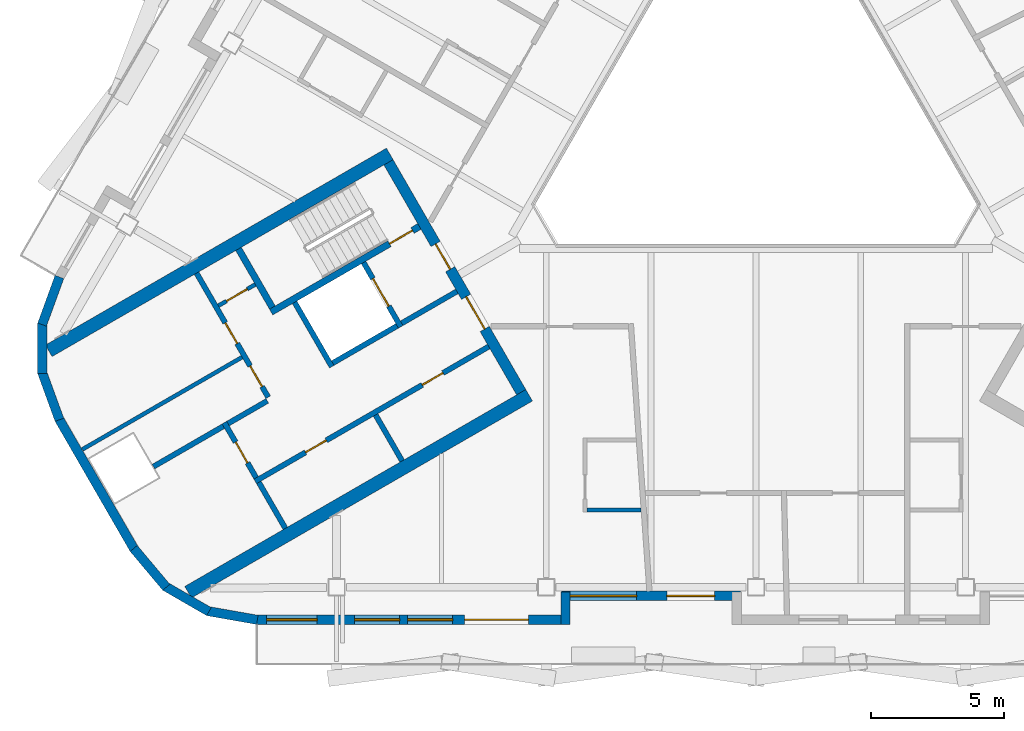
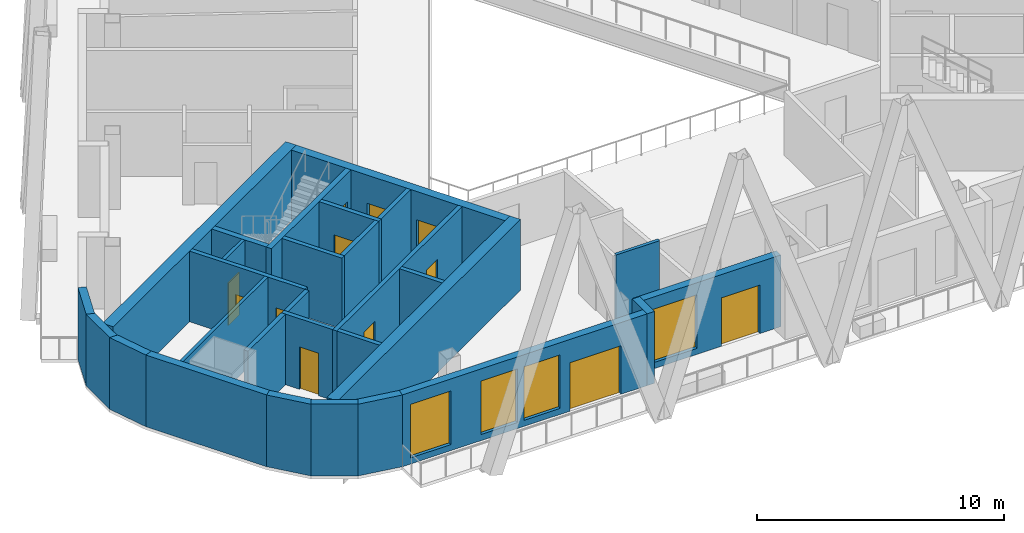
# One storey, part 5 of 18: 29 walls, 12 doors, 4 windows, 16 openings.
"""IFC4 building model written with IfcOpenShell, lengths in metres."""

from ifc_helpers import new_model, si_unit, direction, frame, frame_2d, origin, place, context, subcontext, project, spatial, rectangle, extrude, material, layer, layer_set, type_object, element, fill, save


model = new_model("IFC4")

# Units and contexts
model_context = context("Model", 3, precision=1e-05, world=origin(), true_north=direction((0.0, 1.0)))
body_context = subcontext(model_context, "Body", "Model", "MODEL_VIEW")
ifc_project = project(units=[si_unit("LENGTHUNIT", "METRE"), si_unit("AREAUNIT", "SQUARE_METRE"), si_unit("VOLUMEUNIT", "CUBIC_METRE"), si_unit("PLANEANGLEUNIT", "RADIAN"), si_unit("MASSUNIT", "GRAM", prefix="KILO")], contexts=[model_context])

# Site, building, storey
site_placement = place(None, origin())
site = spatial("IfcSite", under=ifc_project, at=site_placement, CompositionType="ELEMENT")
building_placement = place(site_placement, origin())
building = spatial("IfcBuilding", under=site, at=building_placement, Name="Apuvela Tower Hotel", CompositionType="ELEMENT")
storey_placement = place(building_placement, frame((0.0, 0.0, 246.699951171875)))
storey = spatial("IfcBuildingStorey", under=building, at=storey_placement, Name="L60", CompositionType="ELEMENT", Elevation=246.699951171875)

# Wall, openings, doors
ifc_material_1 = material(Name="Concrete C50/60", Category="concrete")
ifc_layer_1 = layer(ifc_material_1, 0.39990234375)
ifc_layer_set_1 = layer_set([ifc_layer_1], Name="COR-WALL-CORE-400")
wall_type_1 = type_object("IfcWallType", Name="COR-WALL-CORE-400", PredefinedType="SHEAR", material=ifc_layer_set_1)
wall_1_placement = place(storey_placement, frame((-13.844970703125, -2.219970703125, 0.0), z_axis=(0.0, 0.0, 1.0), x_axis=(0.500004234368, -0.866022959057, 0.0)))
wall_1 = element("IfcWall", 1, at=wall_1_placement, inside=storey, type_object=wall_type_1, Name="Core wall SW", PredefinedType="SHEAR", context=body_context, shape_type="SweptSolid", body=[
    extrude(rectangle(XDim=10.0, YDim=0.39990234375, at=frame_2d((5.0, 0.0))), origin(), (0.0, 0.0, 1.0), 3.5),
])
opening_1_placement = place(wall_1_placement, frame((3.550048828125, 0.0, 0.0)))
opening_1 = element("IfcOpeningElement", 2, at=opening_1_placement, cuts=wall_1, Name="Opening W-FD", PredefinedType="OPENING", context=body_context, shape_type="SweptSolid", body=[
    extrude(rectangle(XDim=1.10009765625, YDim=2.10009765625, at=frame_2d((0.550048828125, 1.050048828125))), frame((0.0, 0.2099609375, 0.0), z_axis=(0.0, -1.0, 0.0), x_axis=(1.0, 0.0, 0.0)), (0.0, 0.0, 1.0), 0.419921875),
])
opening_2_placement = place(wall_1_placement, frame((5.85009765625, 0.0, 0.0)))
opening_2 = element("IfcOpeningElement", 3, at=opening_2_placement, cuts=wall_1, Name="Opening W-GD", PredefinedType="OPENING", context=body_context, shape_type="SweptSolid", body=[
    extrude(rectangle(XDim=1.39990234375, YDim=2.10009765625, at=frame_2d((0.699951171875, 1.050048828125))), frame((0.0, 0.2099609375, 0.0), z_axis=(0.0, -1.0, 0.0), x_axis=(1.0, 0.0, 0.0)), (0.0, 0.0, 1.0), 0.419921875),
])
ifc_material_2 = material(Name="Steel fire door, powder coated", Category="steel")
door_type_1 = type_object("IfcDoorType", Name="COR-FD-1100", OperationType="NOTDEFINED", PredefinedType="DOOR", material=ifc_material_2)
door_1_placement = place(opening_1_placement, frame((1.10009765625, 0.0, 0.0), z_axis=(0.0, 0.0, 1.0), x_axis=(-1.0, 0.0, 0.0)))
door_1 = element("IfcDoor", 4, at=door_1_placement, inside=storey, type_object=door_type_1, Name="Firefighting lobby door W-FD", OperationType="SINGLE_SWING_LEFT", OverallHeight=2.10009765625, OverallWidth=1.10009765625, PredefinedType="DOOR", context=body_context, shape_type="SweptSolid", body=[
    extrude(rectangle(XDim=1.10009765625, YDim=2.10009765625, at=frame_2d((0.550048828125, 1.050048828125))), frame((0.0, 0.02490234375, 0.0), z_axis=(0.0, -1.0, 0.0), x_axis=(1.0, 0.0, 0.0)), (0.0, 0.0, 1.0), 0.050048828125),
])
fill(opening_1, door_1)
ifc_material_3 = material(Name="Glazed steel fire door", Category="steel")
door_type_2 = type_object("IfcDoorType", Name="COR-GD-1400", OperationType="DOUBLE_DOOR_SINGLE_SWING", PredefinedType="DOOR", material=ifc_material_3)
door_2_placement = place(opening_2_placement, frame((1.39990234375, 0.0, 0.0), z_axis=(0.0, 0.0, 1.0), x_axis=(-1.0, 0.0, 0.0)))
door_2 = element("IfcDoor", 5, at=door_2_placement, inside=storey, type_object=door_type_2, Name="Lift lobby door W-GD", OperationType="DOUBLE_DOOR_SINGLE_SWING", OverallHeight=2.10009765625, OverallWidth=1.39990234375, PredefinedType="DOOR", context=body_context, shape_type="SweptSolid", body=[
    extrude(rectangle(XDim=1.39990234375, YDim=2.10009765625, at=frame_2d((0.699951171875, 1.050048828125))), frame((0.0, 0.02490234375, 0.0), z_axis=(0.0, -1.0, 0.0), x_axis=(1.0, 0.0, 0.0)), (0.0, 0.0, 1.0), 0.050048828125),
])
fill(opening_2, door_2)

# Walls
ifc_layer_2 = layer(ifc_material_1, 0.5)
ifc_layer_set_2 = layer_set([ifc_layer_2], Name="COR-WALL-CORE-500")
wall_type_2 = type_object("IfcWallType", Name="COR-WALL-CORE-500", PredefinedType="SHEAR", material=ifc_layer_set_2)
for number, where, z_axis, x_axis, name in (
    (6, (-13.796630859375, -1.9033203125, 0.0), (0.0, 0.0, 1.0), (-0.866025009528, -0.500000682871, 0.0), "Core wall SW"),
    (7, (-8.546630859375, -10.99658203125, 0.0), (0.0, 0.0, 1.0), (-0.866025009528, -0.500000682871, 0.0), "Core wall SW"),
):
    element("IfcWall", number, at=place(storey_placement, frame(where, z_axis=z_axis, x_axis=x_axis)), inside=storey, type_object=wall_type_2, Name=name, PredefinedType="SHEAR", context=body_context, shape_type="SweptSolid", body=[
        extrude(rectangle(XDim=14.8369140625, YDim=0.5, at=frame_2d((7.41845703125, 0.0))), origin(), (0.0, 0.0, 1.0), 3.5),
    ])

# Wall, opening, door
ifc_material_4 = material(Name="Blockwork 150 mm plastered", Category="masonry")
ifc_layer_3 = layer(ifc_material_4, 0.14990234375)
ifc_layer_set_3 = layer_set([ifc_layer_3], Name="COR-WALL-PART-150")
wall_type_3 = type_object("IfcWallType", Name="COR-WALL-PART-150", PredefinedType="PARTITIONING", material=ifc_layer_set_3)
wall_2_placement = place(storey_placement, frame((-18.866455078125, -6.822265625, 0.0), z_axis=(0.0, 0.0, 1.0), x_axis=(-0.866028054938, -0.499995408039, 0.0)))
wall_2 = element("IfcWall", 8, at=wall_2_placement, inside=storey, type_object=wall_type_3, Name="Partition SW", PredefinedType="PARTITIONING", context=body_context, shape_type="SweptSolid", body=[
    extrude(rectangle(XDim=1.60009765625, YDim=0.14990234375, at=frame_2d((0.800048828125, 0.0))), origin(), (0.0, 0.0, 1.0), 3.5),
])
opening_3_placement = place(wall_2_placement, frame((0.35009765625, 0.0, 0.0)))
opening_3 = element("IfcOpeningElement", 9, at=opening_3_placement, cuts=wall_2, Name="Opening W-RD", PredefinedType="OPENING", context=body_context, shape_type="SweptSolid", body=[
    extrude(rectangle(XDim=0.89990234375, YDim=2.10009765625, at=frame_2d((0.449951171875, 1.050048828125))), frame((0.0, 0.0849609375, 0.0), z_axis=(0.0, -1.0, 0.0), x_axis=(1.0, 0.0, 0.0)), (0.0, 0.0, 1.0), 0.169921875),
])
ifc_material_5 = material(Name="Steel access door, powder coated", Category="steel")
door_type_3 = type_object("IfcDoorType", Name="COR-RD-900", OperationType="NOTDEFINED", PredefinedType="DOOR", material=ifc_material_5)
door_3_placement = place(opening_3_placement, frame((0.89990234375, 0.0, 0.0), z_axis=(0.0, 0.0, 1.0), x_axis=(-1.0, 0.0, 0.0)))
door_3 = element("IfcDoor", 10, at=door_3_placement, inside=storey, type_object=door_type_3, Name="Riser door W-RD", OperationType="SINGLE_SWING_RIGHT", OverallHeight=2.10009765625, OverallWidth=0.89990234375, PredefinedType="DOOR", context=body_context, shape_type="SweptSolid", body=[
    extrude(rectangle(XDim=0.89990234375, YDim=2.10009765625, at=frame_2d((0.449951171875, 1.050048828125))), frame((0.0, 0.02490234375, 0.0), z_axis=(0.0, -1.0, 0.0), x_axis=(1.0, 0.0, 0.0)), (0.0, 0.0, 1.0), 0.050048828125),
])
fill(opening_3, door_3)

# Wall
wall_3_placement = place(storey_placement, frame((-19.36279296875, -9.5625, 0.0), z_axis=(0.0, 0.0, 1.0), x_axis=(-0.866016523273, -0.500015381182, 0.0)))
element("IfcWall", 11, at=wall_3_placement, inside=storey, type_object=wall_type_3, Name="Partition SW", PredefinedType="PARTITIONING", context=body_context, shape_type="SweptSolid", body=[
    extrude(rectangle(XDim=6.949951171875, YDim=0.14990234375, at=frame_2d((3.47509765625, 0.0))), origin(), (0.0, 0.0, 1.0), 3.5),
])

# Wall, openings, doors
ifc_material_6 = material(Name="Blockwork 200 mm plastered", Category="masonry")
ifc_layer_4 = layer(ifc_material_6, 0.199951171875)
ifc_layer_set_4 = layer_set([ifc_layer_4], Name="COR-WALL-PART-200")
wall_type_4 = type_object("IfcWallType", Name="COR-WALL-PART-200", PredefinedType="PARTITIONING", material=ifc_layer_set_4)
wall_4_placement = place(storey_placement, frame((-21.076171875, -6.39501953125, 0.0), z_axis=(0.0, 0.0, 1.0), x_axis=(0.50001468107, -0.866016927499, 0.0)))
wall_4 = element("IfcWall", 12, at=wall_4_placement, inside=storey, type_object=wall_type_4, Name="Partition SW", PredefinedType="PARTITIONING", context=body_context, shape_type="SweptSolid", body=[
    extrude(rectangle(XDim=5.399658203125, YDim=0.199951171875, at=frame_2d((2.69970703125, 0.0))), origin(), (0.0, 0.0, 1.0), 3.5),
])
opening_4_placement = place(wall_4_placement, frame((2.16259765625, 0.0, 0.0)))
opening_4 = element("IfcOpeningElement", 13, at=opening_4_placement, cuts=wall_4, Name="Opening W-RS1", PredefinedType="OPENING", context=body_context, shape_type="SweptSolid", body=[
    extrude(rectangle(XDim=0.89990234375, YDim=2.10009765625, at=frame_2d((0.449951171875, 1.050048828125))), frame((0.0, 0.10986328125, 0.0), z_axis=(0.0, -1.0, 0.0), x_axis=(1.0, 0.0, 0.0)), (0.0, 0.0, 1.0), 0.219970703125),
])
opening_5_placement = place(wall_4_placement, frame((4.03759765625, 0.0, 0.0)))
opening_5 = element("IfcOpeningElement", 14, at=opening_5_placement, cuts=wall_4, Name="Opening W-RS2", PredefinedType="OPENING", context=body_context, shape_type="SweptSolid", body=[
    extrude(rectangle(XDim=0.89990234375, YDim=2.10009765625, at=frame_2d((0.449951171875, 1.050048828125))), frame((0.0, 0.10986328125, 0.0), z_axis=(0.0, -1.0, 0.0), x_axis=(1.0, 0.0, 0.0)), (0.0, 0.0, 1.0), 0.219970703125),
])
door_type_4 = type_object("IfcDoorType", Name="COR-DR-900", OperationType="NOTDEFINED", PredefinedType="DOOR", material=ifc_material_2)
door_4_placement = place(opening_4_placement, frame((0.89990234375, 0.0, 0.0), z_axis=(0.0, 0.0, 1.0), x_axis=(-1.0, 0.0, 0.0)))
door_4 = element("IfcDoor", 15, at=door_4_placement, inside=storey, type_object=door_type_4, Name="Store door W-RS1", OperationType="SINGLE_SWING_LEFT", OverallHeight=2.10009765625, OverallWidth=0.89990234375, PredefinedType="DOOR", context=body_context, shape_type="SweptSolid", body=[
    extrude(rectangle(XDim=0.89990234375, YDim=2.10009765625, at=frame_2d((0.449951171875, 1.050048828125))), frame((0.0, 0.02490234375, 0.0), z_axis=(0.0, -1.0, 0.0), x_axis=(1.0, 0.0, 0.0)), (0.0, 0.0, 1.0), 0.050048828125),
])
fill(opening_4, door_4)
door_5_placement = place(opening_5_placement, frame((0.89990234375, 0.0, 0.0), z_axis=(0.0, 0.0, 1.0), x_axis=(-1.0, 0.0, 0.0)))
door_5 = element("IfcDoor", 16, at=door_5_placement, inside=storey, type_object=door_type_4, Name="Store door W-RS2", OperationType="SINGLE_SWING_LEFT", OverallHeight=2.10009765625, OverallWidth=0.89990234375, PredefinedType="DOOR", context=body_context, shape_type="SweptSolid", body=[
    extrude(rectangle(XDim=0.89990234375, YDim=2.10009765625, at=frame_2d((0.449951171875, 1.050048828125))), frame((0.0, 0.02490234375, 0.0), z_axis=(0.0, -1.0, 0.0), x_axis=(1.0, 0.0, 0.0)), (0.0, 0.0, 1.0), 0.050048828125),
])
fill(opening_5, door_5)

# Wall
ifc_layer_5 = layer(ifc_material_1, 0.199951171875)
ifc_layer_set_5 = layer_set([ifc_layer_5], Name="COR-WALL-SHAFT-200")
wall_type_5 = type_object("IfcWallType", Name="COR-WALL-SHAFT-200", PredefinedType="SHEAR", material=ifc_layer_set_5)
wall_5_placement = place(storey_placement, frame((-17.38134765625, -7.49462890625, 0.0), z_axis=(0.0, 0.0, 1.0), x_axis=(0.500011755427, -0.866018616679, 0.0)))
element("IfcWall", 17, at=wall_5_placement, inside=storey, type_object=wall_type_5, Name="Shaft wall SW", PredefinedType="SHEAR", context=body_context, shape_type="SweptSolid", body=[
    extrude(rectangle(XDim=2.80029296875, YDim=0.199951171875, at=frame_2d((1.400146484375, 0.0))), origin(), (0.0, 0.0, 1.0), 3.5),
])

# Wall, opening, door
wall_6_placement = place(storey_placement, frame((-14.783203125, -5.99462890625, 0.0), z_axis=(0.0, 0.0, 1.0), x_axis=(0.49994636267, -0.866056369097, 0.0)))
wall_6 = element("IfcWall", 18, at=wall_6_placement, inside=storey, type_object=wall_type_5, Name="Shaft wall SW", PredefinedType="SHEAR", context=body_context, shape_type="SweptSolid", body=[
    extrude(rectangle(XDim=2.800048828125, YDim=0.199951171875, at=frame_2d((1.39990234375, 0.0))), origin(), (0.0, 0.0, 1.0), 3.5),
])
opening_6_placement = place(wall_6_placement, frame((0.699951171875, 0.0, 0.0)))
opening_6 = element("IfcOpeningElement", 19, at=opening_6_placement, cuts=wall_6, Name="Opening W-LD-FS2", PredefinedType="OPENING", context=body_context, shape_type="SweptSolid", body=[
    extrude(rectangle(XDim=1.199951171875, YDim=2.10009765625, at=frame_2d((0.60009765625, 1.050048828125))), frame((0.0, 0.10986328125, 0.0), z_axis=(0.0, -1.0, 0.0), x_axis=(1.0, 0.0, 0.0)), (0.0, 0.0, 1.0), 0.219970703125),
])
ifc_material_7 = material(Name="Stainless steel lift landing door", Category="steel")
door_type_5 = type_object("IfcDoorType", Name="COR-LD-1200", OperationType="DOUBLE_DOOR_SLIDING", PredefinedType="DOOR", material=ifc_material_7)
door_6_placement = place(opening_6_placement, origin())
door_6 = element("IfcDoor", 20, at=door_6_placement, inside=storey, type_object=door_type_5, Name="Lift landing door W-LD-FS2", OperationType="DOUBLE_DOOR_SLIDING", OverallHeight=2.10009765625, OverallWidth=1.199951171875, PredefinedType="DOOR", context=body_context, shape_type="SweptSolid", body=[
    extrude(rectangle(XDim=1.199951171875, YDim=2.10009765625, at=frame_2d((0.60009765625, 1.050048828125))), frame((0.0, 0.02490234375, 0.0), z_axis=(0.0, -1.0, 0.0), x_axis=(1.0, 0.0, 0.0)), (0.0, 0.0, 1.0), 0.050048828125),
])
fill(opening_6, door_6)

# Walls
wall_7_placement = place(storey_placement, frame((-13.519775390625, -8.383056640625, 0.0), z_axis=(0.0, 0.0, 1.0), x_axis=(-0.866034573852, -0.49998411664, 0.0)))
element("IfcWall", 21, at=wall_7_placement, inside=storey, type_object=wall_type_5, Name="Shaft wall SW", PredefinedType="SHEAR", context=body_context, shape_type="SweptSolid", body=[
    extrude(rectangle(XDim=2.7998046875, YDim=0.199951171875, at=frame_2d((1.39990234375, 0.0))), origin(), (0.0, 0.0, 1.0), 3.5),
])
wall_8_placement = place(storey_placement, frame((-11.26806640625, -7.0830078125, 0.0), z_axis=(0.0, 0.0, 1.0), x_axis=(-0.866050077142, -0.499957262057, 0.0)))
element("IfcWall", 22, at=wall_8_placement, inside=storey, type_object=wall_type_5, Name="Shaft wall SW", PredefinedType="SHEAR", context=body_context, shape_type="SweptSolid", body=[
    extrude(rectangle(XDim=2.400146484375, YDim=0.199951171875, at=frame_2d((1.2001953125, 0.0))), origin(), (0.0, 0.0, 1.0), 3.5),
])

# Wall, openings, doors
wall_9_placement = place(storey_placement, frame((-10.068115234375, -9.16162109375, 0.0), z_axis=(0.0, 0.0, 1.0), x_axis=(-0.866032725843, -0.499987317609, 0.0)))
wall_9 = element("IfcWall", 23, at=wall_9_placement, inside=storey, type_object=wall_type_5, Name="Shaft wall SW", PredefinedType="SHEAR", context=body_context, shape_type="SweptSolid", body=[
    extrude(rectangle(XDim=10.159912109375, YDim=0.199951171875, at=frame_2d((5.080078125, 0.0))), origin(), (0.0, 0.0, 1.0), 3.5),
])
opening_7_placement = place(wall_9_placement, frame((1.989990234375, 0.0, 0.0)))
opening_7 = element("IfcOpeningElement", 24, at=opening_7_placement, cuts=wall_9, Name="Opening W-RE1", PredefinedType="OPENING", context=body_context, shape_type="SweptSolid", body=[
    extrude(rectangle(XDim=0.89990234375, YDim=2.10009765625, at=frame_2d((0.449951171875, 1.050048828125))), frame((0.0, 0.10986328125, 0.0), z_axis=(0.0, -1.0, 0.0), x_axis=(1.0, 0.0, 0.0)), (0.0, 0.0, 1.0), 0.219970703125),
])
opening_8_placement = place(wall_9_placement, frame((7.070068359375, 0.0, 0.0)))
opening_8 = element("IfcOpeningElement", 25, at=opening_8_placement, cuts=wall_9, Name="Opening W-RE3", PredefinedType="OPENING", context=body_context, shape_type="SweptSolid", body=[
    extrude(rectangle(XDim=0.89990234375, YDim=2.10009765625, at=frame_2d((0.449951171875, 1.050048828125))), frame((0.0, 0.10986328125, 0.0), z_axis=(0.0, -1.0, 0.0), x_axis=(1.0, 0.0, 0.0)), (0.0, 0.0, 1.0), 0.219970703125),
])
door_7_placement = place(opening_7_placement, origin())
door_7 = element("IfcDoor", 26, at=door_7_placement, inside=storey, type_object=door_type_4, Name="Store door W-RE1", OperationType="SINGLE_SWING_LEFT", OverallHeight=2.10009765625, OverallWidth=0.89990234375, PredefinedType="DOOR", context=body_context, shape_type="SweptSolid", body=[
    extrude(rectangle(XDim=0.89990234375, YDim=2.10009765625, at=frame_2d((0.449951171875, 1.050048828125))), frame((0.0, 0.02490234375, 0.0), z_axis=(0.0, -1.0, 0.0), x_axis=(1.0, 0.0, 0.0)), (0.0, 0.0, 1.0), 0.050048828125),
])
fill(opening_7, door_7)
door_8_placement = place(opening_8_placement, origin())
door_8 = element("IfcDoor", 27, at=door_8_placement, inside=storey, type_object=door_type_4, Name="Store door W-RE3", OperationType="SINGLE_SWING_LEFT", OverallHeight=2.10009765625, OverallWidth=0.89990234375, PredefinedType="DOOR", context=body_context, shape_type="SweptSolid", body=[
    extrude(rectangle(XDim=0.89990234375, YDim=2.10009765625, at=frame_2d((0.449951171875, 1.050048828125))), frame((0.0, 0.02490234375, 0.0), z_axis=(0.0, -1.0, 0.0), x_axis=(1.0, 0.0, 0.0)), (0.0, 0.0, 1.0), 0.050048828125),
])
fill(opening_8, door_8)

# Wall, opening, door
wall_10_placement = place(storey_placement, frame((-20.030517578125, -12.0263671875, 0.0), z_axis=(0.0, 0.0, 1.0), x_axis=(0.500033551112, -0.866006032174, 0.0)))
wall_10 = element("IfcWall", 28, at=wall_10_placement, inside=storey, type_object=wall_type_5, Name="Shaft wall SW", PredefinedType="SHEAR", context=body_context, shape_type="SweptSolid", body=[
    extrude(rectangle(XDim=2.400146484375, YDim=0.199951171875, at=frame_2d((1.2001953125, 0.0))), origin(), (0.0, 0.0, 1.0), 3.5),
])
opening_9_placement = place(wall_10_placement, frame((0.85009765625, 0.0, 0.0)))
opening_9 = element("IfcOpeningElement", 29, at=opening_9_placement, cuts=wall_10, Name="Opening W-REP", PredefinedType="OPENING", context=body_context, shape_type="SweptSolid", body=[
    extrude(rectangle(XDim=0.89990234375, YDim=2.10009765625, at=frame_2d((0.449951171875, 1.050048828125))), frame((0.0, 0.10986328125, 0.0), z_axis=(0.0, -1.0, 0.0), x_axis=(1.0, 0.0, 0.0)), (0.0, 0.0, 1.0), 0.219970703125),
])
door_9_placement = place(opening_9_placement, frame((0.89990234375, 0.0, 0.0), z_axis=(0.0, 0.0, 1.0), x_axis=(-1.0, 0.0, 0.0)))
door_9 = element("IfcDoor", 30, at=door_9_placement, inside=storey, type_object=door_type_4, Name="Store door W-REP", OperationType="SINGLE_SWING_LEFT", OverallHeight=2.10009765625, OverallWidth=0.89990234375, PredefinedType="DOOR", context=body_context, shape_type="SweptSolid", body=[
    extrude(rectangle(XDim=0.89990234375, YDim=2.10009765625, at=frame_2d((0.449951171875, 1.050048828125))), frame((0.0, 0.02490234375, 0.0), z_axis=(0.0, -1.0, 0.0), x_axis=(1.0, 0.0, 0.0)), (0.0, 0.0, 1.0), 0.050048828125),
])
fill(opening_9, door_9)

# Walls
wall_11_placement = place(storey_placement, frame((-18.412841796875, -11.2080078125, 0.0), z_axis=(0.0, 0.0, 1.0), x_axis=(-0.866038183914, -0.499977863513, 0.0)))
element("IfcWall", 31, at=wall_11_placement, inside=storey, type_object=wall_type_5, Name="Shaft wall SW", PredefinedType="SHEAR", context=body_context, shape_type="SweptSolid", body=[
    extrude(rectangle(XDim=1.7099609375, YDim=0.199951171875, at=frame_2d((0.85498046875, 0.0))), origin(), (0.0, 0.0, 1.0), 3.5),
])
for number, where, z_axis, x_axis, name in (
    (32, (-14.330810546875, -11.738037109375, 0.0), (0.0, 0.0, 1.0), (0.499972520799, -0.866041268327, 0.0), "Shaft wall SW"),
    (33, (-18.73046875, -14.278076171875, 0.0), (0.0, 0.0, 1.0), (0.50002537861, -0.866010750942, 0.0), "Shaft wall SW"),
):
    element("IfcWall", number, at=place(storey_placement, frame(where, z_axis=z_axis, x_axis=x_axis)), inside=storey, type_object=wall_type_5, Name=name, PredefinedType="SHEAR", context=body_context, shape_type="SweptSolid", body=[
        extrude(rectangle(XDim=2.0, YDim=0.199951171875, at=frame_2d((1.0, 0.0))), origin(), (0.0, 0.0, 1.0), 3.5),
    ])
wall_12_placement = place(storey_placement, frame((-20.06689453125, -12.1630859375, 0.0), z_axis=(0.0, 0.0, 1.0), x_axis=(-0.866030456496, -0.499991248344, 0.0)))
element("IfcWall", 34, at=wall_12_placement, inside=storey, type_object=wall_type_5, Name="Shaft wall SW", PredefinedType="SHEAR", context=body_context, shape_type="SweptSolid", body=[
    extrude(rectangle(XDim=3.0400390625, YDim=0.199951171875, at=frame_2d((1.52001953125, 0.0))), origin(), (0.0, 0.0, 1.0), 3.5),
])

# Wall, opening, door
ifc_layer_6 = layer(ifc_material_1, 0.25)
ifc_layer_set_6 = layer_set([ifc_layer_6], Name="COR-WALL-STAIR-250")
wall_type_6 = type_object("IfcWallType", Name="COR-WALL-STAIR-250", PredefinedType="SHEAR", material=ifc_layer_set_6)
wall_13_placement = place(storey_placement, frame((-12.6806640625, -4.636474609375, 0.0), z_axis=(0.0, 0.0, 1.0), x_axis=(-0.866021702275, -0.500006411147, 0.0)))
wall_13 = element("IfcWall", 35, at=wall_13_placement, inside=storey, type_object=wall_type_6, Name="Stair wall SW", PredefinedType="SHEAR", context=body_context, shape_type="SweptSolid", body=[
    extrude(rectangle(XDim=6.4501953125, YDim=0.25, at=frame_2d((3.22509765625, 0.0))), origin(), (0.0, 0.0, 1.0), 3.5),
])
opening_10_placement = place(wall_13_placement, frame((0.300048828125, 0.0, 0.0)))
opening_10 = element("IfcOpeningElement", 36, at=opening_10_placement, cuts=wall_13, Name="Opening W-SD", PredefinedType="OPENING", context=body_context, shape_type="SweptSolid", body=[
    extrude(rectangle(XDim=1.0, YDim=2.10009765625, at=frame_2d((0.5, 1.050048828125))), frame((0.0, 0.135009765625, 0.0), z_axis=(0.0, -1.0, 0.0), x_axis=(1.0, 0.0, 0.0)), (0.0, 0.0, 1.0), 0.27001953125),
])
door_type_6 = type_object("IfcDoorType", Name="COR-SD-1000", OperationType="NOTDEFINED", PredefinedType="DOOR", material=ifc_material_2)
door_10_placement = place(opening_10_placement, frame((1.0, 0.0, 0.0), z_axis=(0.0, 0.0, 1.0), x_axis=(-1.0, 0.0, 0.0)))
door_10 = element("IfcDoor", 37, at=door_10_placement, inside=storey, type_object=door_type_6, Name="Stair door W-SD", OperationType="SINGLE_SWING_LEFT", OverallHeight=2.10009765625, OverallWidth=1.0, PredefinedType="DOOR", context=body_context, shape_type="SweptSolid", body=[
    extrude(rectangle(XDim=1.0, YDim=2.10009765625, at=frame_2d((0.5, 1.050048828125))), frame((0.0, 0.02490234375, 0.0), z_axis=(0.0, -1.0, 0.0), x_axis=(1.0, 0.0, 0.0)), (0.0, 0.0, 1.0), 0.050048828125),
])
fill(opening_10, door_10)

# Walls
wall_14_placement = place(storey_placement, frame((-19.49560546875, -5.482421875, 0.0), z_axis=(0.0, 0.0, 1.0), x_axis=(0.499990435942, -0.866030925526, 0.0)))
element("IfcWall", 38, at=wall_14_placement, inside=storey, type_object=wall_type_6, Name="Stair wall SW", PredefinedType="SHEAR", context=body_context, shape_type="SweptSolid", body=[
    extrude(rectangle(XDim=2.5498046875, YDim=0.25, at=frame_2d((1.27490234375, 0.0))), origin(), (0.0, 0.0, 1.0), 3.5),
])
ifc_material_8 = material(Name="Concrete C40/50, dark pigmented precast panel", Category="concrete")
ifc_layer_7 = layer(ifc_material_8, 0.35009765625)
ifc_layer_set_7 = layer_set([ifc_layer_7], Name="ENV-WALL-350")
wall_type_7 = type_object("IfcWallType", Name="ENV-WALL-350", PredefinedType="SOLIDWALL", material=ifc_layer_set_7)
for number, where, z_axis, x_axis, name in (
    (39, (-26.24365234375, -6.539794921875, 0.0), (0.0, 0.0, 1.0), (-0.342030395486, -0.939688889242, 0.0), "External wall L60-10"),
    (40, (-26.88623046875, -8.27490234375, 0.0), (0.0, 0.0, 1.0), (0.0, -1.0, 0.0), "External wall L60-11"),
    (41, (-26.89697265625, -10.125244140625, 0.0), (0.0, 0.0, 1.0), (0.342030395486, -0.939688889242, 0.0), "External wall L60-12"),
):
    element("IfcWall", number, at=place(storey_placement, frame(where, z_axis=z_axis, x_axis=x_axis)), inside=storey, type_object=wall_type_7, Name=name, PredefinedType="SOLIDWALL", context=body_context, shape_type="SweptSolid", body=[
        extrude(rectangle(XDim=1.91015625, YDim=0.35009765625, at=frame_2d((0.955078125, 0.0))), origin(), (0.0, 0.0, 1.0), 3.550048828125),
    ])
wall_15_placement = place(storey_placement, frame((-26.256591796875, -11.892578125, 0.0), z_axis=(0.0, 0.0, 1.0), x_axis=(0.500018773155, -0.866014564827, 0.0)))
element("IfcWall", 42, at=wall_15_placement, inside=storey, type_object=wall_type_7, Name="External wall L60-13", PredefinedType="SOLIDWALL", context=body_context, shape_type="SweptSolid", body=[
    extrude(rectangle(XDim=5.657958984375, YDim=0.35009765625, at=frame_2d((2.8291015625, 0.0))), origin(), (0.0, 0.0, 1.0), 3.550048828125),
])
for number, where, z_axis, x_axis, name in (
    (43, (-23.44482421875, -16.767578125, 0.0), (0.0, 0.0, 1.0), (0.642733291068, -0.76609001857, 0.0), "External wall L60-14"),
    (44, (-22.263671875, -18.191650390625, 0.0), (0.0, 0.0, 1.0), (0.866000389056, -0.500043324278, 0.0), "External wall L60-15"),
):
    element("IfcWall", number, at=place(storey_placement, frame(where, z_axis=z_axis, x_axis=x_axis)), inside=storey, type_object=wall_type_7, Name=name, PredefinedType="SOLIDWALL", context=body_context, shape_type="SweptSolid", body=[
        extrude(rectangle(XDim=1.909912109375, YDim=0.35009765625, at=frame_2d((0.955078125, 0.0))), origin(), (0.0, 0.0, 1.0), 3.550048828125),
    ])
wall_16_placement = place(storey_placement, frame((-20.66650390625, -19.1259765625, 0.0), z_axis=(0.0, 0.0, 1.0), x_axis=(0.984798995425, -0.173697837091, 0.0)))
element("IfcWall", 45, at=wall_16_placement, inside=storey, type_object=wall_type_7, Name="External wall L60-16", PredefinedType="SOLIDWALL", context=body_context, shape_type="SweptSolid", body=[
    extrude(rectangle(XDim=1.91015625, YDim=0.35009765625, at=frame_2d((0.955078125, 0.0))), origin(), (0.0, 0.0, 1.0), 3.550048828125),
])

# Wall, openings, door, windows
wall_17_placement = place(storey_placement, frame((-18.81591796875, -19.455078125, 0.0), z_axis=(0.0, 0.0, 1.0), x_axis=(1.0, 0.0, 0.0)))
wall_17 = element("IfcWall", 46, at=wall_17_placement, inside=storey, type_object=wall_type_7, Name="External wall L60-17", PredefinedType="SOLIDWALL", context=body_context, shape_type="SweptSolid", body=[
    extrude(rectangle(XDim=11.81591796875, YDim=0.35009765625, at=frame_2d((5.907958984375, 0.0))), origin(), (0.0, 0.0, 1.0), 3.550048828125),
])
opening_11_placement = place(wall_17_placement, frame((0.380615234375, 0.0, 0.300048828125)))
opening_11 = element("IfcOpeningElement", 47, at=opening_11_placement, cuts=wall_17, Name="Opening WN19", PredefinedType="OPENING", context=body_context, shape_type="SweptSolid", body=[
    extrude(rectangle(XDim=1.89990234375, YDim=2.64990234375, at=frame_2d((0.949951171875, 1.324951171875))), frame((0.0, 0.18505859375, 0.0), z_axis=(0.0, -1.0, 0.0), x_axis=(1.0, 0.0, 0.0)), (0.0, 0.0, 1.0), 0.3701171875),
])
opening_12_placement = place(wall_17_placement, frame((7.84130859375, 0.0, 0.0)))
opening_12 = element("IfcOpeningElement", 48, at=opening_12_placement, cuts=wall_17, Name="Opening BD24", PredefinedType="OPENING", context=body_context, shape_type="SweptSolid", body=[
    extrude(rectangle(XDim=2.39990234375, YDim=2.39990234375, at=frame_2d((1.199951171875, 1.199951171875))), frame((0.0, 0.18505859375, 0.0), z_axis=(0.0, -1.0, 0.0), x_axis=(1.0, 0.0, 0.0)), (0.0, 0.0, 1.0), 0.3701171875),
])
opening_13_placement = place(wall_17_placement, frame((3.691162109375, 0.0, 0.300048828125)))
opening_13 = element("IfcOpeningElement", 49, at=opening_13_placement, cuts=wall_17, Name="Opening WN17", PredefinedType="OPENING", context=body_context, shape_type="SweptSolid", body=[
    extrude(rectangle(XDim=1.699951171875, YDim=2.64990234375, at=frame_2d((0.85009765625, 1.324951171875))), frame((0.0, 0.18505859375, 0.0), z_axis=(0.0, -1.0, 0.0), x_axis=(1.0, 0.0, 0.0)), (0.0, 0.0, 1.0), 0.3701171875),
])
opening_14_placement = place(wall_17_placement, frame((5.691162109375, 0.0, 0.300048828125)))
opening_14 = element("IfcOpeningElement", 50, at=opening_14_placement, cuts=wall_17, Name="Opening WN17", PredefinedType="OPENING", context=body_context, shape_type="SweptSolid", body=[
    extrude(rectangle(XDim=1.699951171875, YDim=2.64990234375, at=frame_2d((0.85009765625, 1.324951171875))), frame((0.0, 0.18505859375, 0.0), z_axis=(0.0, -1.0, 0.0), x_axis=(1.0, 0.0, 0.0)), (0.0, 0.0, 1.0), 0.3701171875),
])
ifc_material_9 = material(Name="Aluminium 6063-T6, dark bronze anodised frame with dark tinted laminated glass", Category="aluminium")
door_type_7 = type_object("IfcDoorType", Name="ENV-DOOR-BALCONY-2400x2400", OperationType="SLIDING_TO_LEFT", PredefinedType="DOOR", material=ifc_material_9)
door_11_placement = place(opening_12_placement, frame((2.39990234375, 0.0, 0.0), z_axis=(0.0, 0.0, 1.0), x_axis=(-1.0, 0.0, 0.0)))
door_11 = element("IfcDoor", 51, at=door_11_placement, inside=storey, type_object=door_type_7, Name="Balcony door BD24", OperationType="SLIDING_TO_LEFT", OverallHeight=2.39990234375, OverallWidth=2.39990234375, PredefinedType="DOOR", context=body_context, shape_type="SweptSolid", body=[
    extrude(rectangle(XDim=2.39990234375, YDim=2.39990234375, at=frame_2d((1.199951171875, 1.199951171875))), frame((0.0, 0.02490234375, 0.0), z_axis=(0.0, -1.0, 0.0), x_axis=(1.0, 0.0, 0.0)), (0.0, 0.0, 1.0), 0.050048828125),
])
fill(opening_12, door_11)
ifc_material_10 = material(Name="Glass, dark tinted laminated insulated glazing unit", Category="glass")
window_type_1 = type_object("IfcWindowType", Name="ENV-WIN-1700x2650", PartitioningType="SINGLE_PANEL", PredefinedType="WINDOW", material=ifc_material_10)
window_1_placement = place(opening_13_placement, origin())
window_1 = element("IfcWindow", 52, at=window_1_placement, inside=storey, type_object=window_type_1, Name="Window WN17", OverallHeight=2.64990234375, OverallWidth=1.699951171875, PartitioningType="SINGLE_PANEL", PredefinedType="WINDOW", context=body_context, shape_type="SweptSolid", body=[
    extrude(rectangle(XDim=1.699951171875, YDim=2.64990234375, at=frame_2d((0.85009765625, 1.324951171875))), frame((0.0, 0.030029296875, 0.0), z_axis=(0.0, -1.0, 0.0), x_axis=(1.0, 0.0, 0.0)), (0.0, 0.0, 1.0), 0.06005859375),
])
fill(opening_13, window_1)
window_2_placement = place(opening_14_placement, origin())
window_2 = element("IfcWindow", 53, at=window_2_placement, inside=storey, type_object=window_type_1, Name="Window WN17", OverallHeight=2.64990234375, OverallWidth=1.699951171875, PartitioningType="SINGLE_PANEL", PredefinedType="WINDOW", context=body_context, shape_type="SweptSolid", body=[
    extrude(rectangle(XDim=1.699951171875, YDim=2.64990234375, at=frame_2d((0.85009765625, 1.324951171875))), frame((0.0, 0.030029296875, 0.0), z_axis=(0.0, -1.0, 0.0), x_axis=(1.0, 0.0, 0.0)), (0.0, 0.0, 1.0), 0.06005859375),
])
fill(opening_14, window_2)
window_type_2 = type_object("IfcWindowType", Name="ENV-WIN-1900x2650", PartitioningType="SINGLE_PANEL", PredefinedType="WINDOW", material=ifc_material_10)
window_3_placement = place(opening_11_placement, origin())
window_3 = element("IfcWindow", 54, at=window_3_placement, inside=storey, type_object=window_type_2, Name="Window WN19", OverallHeight=2.64990234375, OverallWidth=1.89990234375, PartitioningType="SINGLE_PANEL", PredefinedType="WINDOW", context=body_context, shape_type="SweptSolid", body=[
    extrude(rectangle(XDim=1.89990234375, YDim=2.64990234375, at=frame_2d((0.949951171875, 1.324951171875))), frame((0.0, 0.030029296875, 0.0), z_axis=(0.0, -1.0, 0.0), x_axis=(1.0, 0.0, 0.0)), (0.0, 0.0, 1.0), 0.06005859375),
])
fill(opening_11, window_3)

# Wall
wall_18_placement = place(storey_placement, frame((-7.175048828125, -19.6298828125, 0.0), z_axis=(0.0, 0.0, 1.0), x_axis=(0.0, 1.0, 0.0)))
element("IfcWall", 55, at=wall_18_placement, inside=storey, type_object=wall_type_7, Name="External wall L60-18", PredefinedType="SOLIDWALL", context=body_context, shape_type="SweptSolid", body=[
    extrude(rectangle(XDim=1.219970703125, YDim=0.35009765625, at=frame_2d((0.60986328125, 0.0))), origin(), (0.0, 0.0, 1.0), 3.550048828125),
])

# Wall, openings, door, window
wall_19_placement = place(storey_placement, frame((-7.320068359375, -18.554931640625, 0.0), z_axis=(0.0, 0.0, 1.0), x_axis=(1.0, 0.0, 0.0)))
wall_19 = element("IfcWall", 56, at=wall_19_placement, inside=storey, type_object=wall_type_7, Name="External wall L60-19", PredefinedType="SOLIDWALL", context=body_context, shape_type="SweptSolid", body=[
    extrude(rectangle(XDim=6.739990234375, YDim=0.35009765625, at=frame_2d((3.3701171875, 0.0))), origin(), (0.0, 0.0, 1.0), 3.550048828125),
])
opening_15_placement = place(wall_19_placement, frame((0.3203125, 0.0, 0.300048828125)))
opening_15 = element("IfcOpeningElement", 57, at=opening_15_placement, cuts=wall_19, Name="Opening WN25", PredefinedType="OPENING", context=body_context, shape_type="SweptSolid", body=[
    extrude(rectangle(XDim=2.5, YDim=2.64990234375, at=frame_2d((1.25, 1.324951171875))), frame((0.0, 0.18505859375, 0.0), z_axis=(0.0, -1.0, 0.0), x_axis=(1.0, 0.0, 0.0)), (0.0, 0.0, 1.0), 0.3701171875),
])
opening_16_placement = place(wall_19_placement, frame((3.96337890625, 0.0, 0.0)))
opening_16 = element("IfcOpeningElement", 58, at=opening_16_placement, cuts=wall_19, Name="Opening BD18", PredefinedType="OPENING", context=body_context, shape_type="SweptSolid", body=[
    extrude(rectangle(XDim=1.800048828125, YDim=2.39990234375, at=frame_2d((0.89990234375, 1.199951171875))), frame((0.0, 0.18505859375, 0.0), z_axis=(0.0, -1.0, 0.0), x_axis=(1.0, 0.0, 0.0)), (0.0, 0.0, 1.0), 0.3701171875),
])
door_type_8 = type_object("IfcDoorType", Name="ENV-DOOR-BALCONY-1800x2400", OperationType="SLIDING_TO_LEFT", PredefinedType="DOOR", material=ifc_material_9)
door_12_placement = place(opening_16_placement, frame((1.800048828125, 0.0, 0.0), z_axis=(0.0, 0.0, 1.0), x_axis=(-1.0, 0.0, 0.0)))
door_12 = element("IfcDoor", 59, at=door_12_placement, inside=storey, type_object=door_type_8, Name="Balcony door BD18", OperationType="SLIDING_TO_LEFT", OverallHeight=2.39990234375, OverallWidth=1.800048828125, PredefinedType="DOOR", context=body_context, shape_type="SweptSolid", body=[
    extrude(rectangle(XDim=1.800048828125, YDim=2.39990234375, at=frame_2d((0.89990234375, 1.199951171875))), frame((0.0, 0.02490234375, 0.0), z_axis=(0.0, -1.0, 0.0), x_axis=(1.0, 0.0, 0.0)), (0.0, 0.0, 1.0), 0.050048828125),
])
fill(opening_16, door_12)
window_type_3 = type_object("IfcWindowType", Name="ENV-WIN-2500x2650", PartitioningType="SINGLE_PANEL", PredefinedType="WINDOW", material=ifc_material_10)
window_4_placement = place(opening_15_placement, origin())
window_4 = element("IfcWindow", 60, at=window_4_placement, inside=storey, type_object=window_type_3, Name="Window WN25", OverallHeight=2.64990234375, OverallWidth=2.5, PartitioningType="SINGLE_PANEL", PredefinedType="WINDOW", context=body_context, shape_type="SweptSolid", body=[
    extrude(rectangle(XDim=2.5, YDim=2.64990234375, at=frame_2d((1.25, 1.324951171875))), frame((0.0, 0.030029296875, 0.0), z_axis=(0.0, -1.0, 0.0), x_axis=(1.0, 0.0, 0.0)), (0.0, 0.0, 1.0), 0.06005859375),
])
fill(opening_15, window_4)

# Wall
ifc_material_11 = material(Name="Moisture-resistant gypsum board wet wall on steel stud", Category="steel")
ifc_layer_8 = layer(ifc_material_11, 0.14990234375)
ifc_layer_set_8 = layer_set([ifc_layer_8], Name="GST-PW3")
wall_type_8 = type_object("IfcWallType", Name="GST-PW3", PredefinedType="PARTITIONING", material=ifc_layer_set_8)
wall_20_placement = place(storey_placement, frame((-6.364990234375, -15.324951171875, 0.0), z_axis=(0.0, 0.0, 1.0), x_axis=(1.0, 0.0, 0.0)))
element("IfcWall", 61, at=wall_20_placement, inside=storey, type_object=wall_type_8, Name="L60 partition 13", PredefinedType="PARTITIONING", context=body_context, shape_type="SweptSolid", body=[
    extrude(rectangle(XDim=2.03955078125, YDim=0.14990234375, at=frame_2d((1.019775390625, 0.0))), origin(), (0.0, 0.0, 1.0), 3.550048828125),
])

save(model, "model.ifc")
